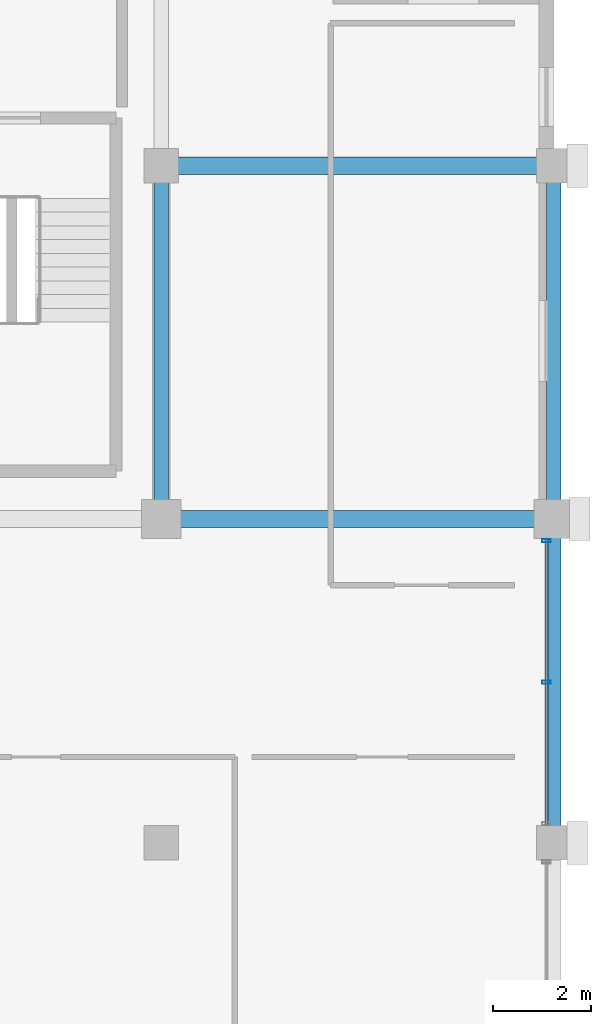
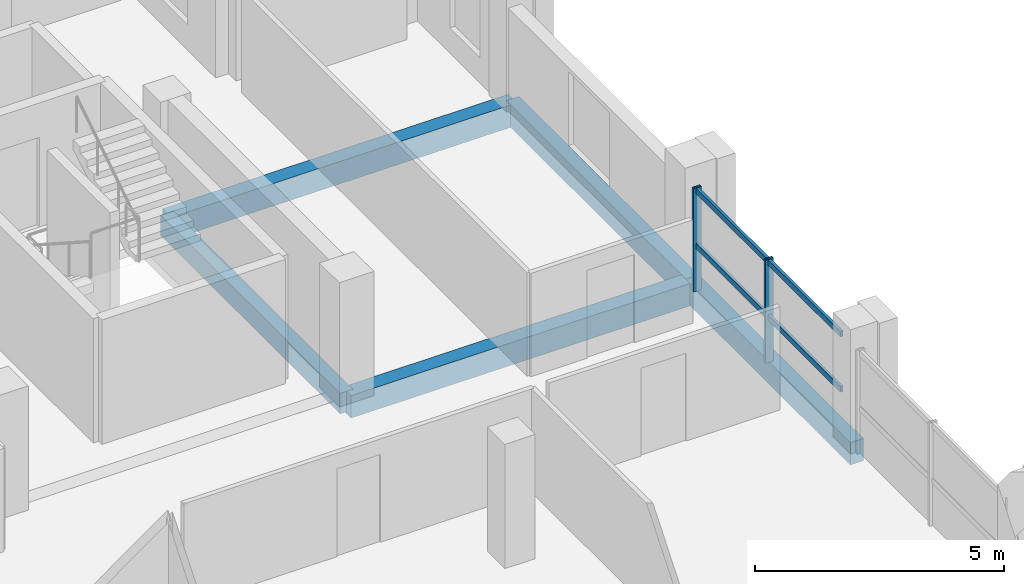
# One storey, part 13 of 24: 5 beams, 4 members, 1 element without a shape of its own.
"""IFC4 building model written with IfcOpenShell, lengths in metres."""

import ifcopenshell
import ifcopenshell.guid

model = None  # the IFC model being written
_history = None  # IfcOwnerHistory: only IFC2X3 demands one
_inside = {}  # id of a spatial element -> (the spatial element, [elements in it])
_under = {}  # id of a project, library or spatial element -> (it, [spatial elements below it])
_declared = {}  # id of a project -> (the project, [libraries it declares])
_typed = {}  # id of a type object -> (the type object, [elements of that type])
_made_of = {}  # id of a material, layer set ... -> (it, [elements and type objects made of it])


def new_model(schema):
    """Start an empty IFC model of exactly this schema.

    Asked for "IFC4X3", IfcOpenShell would pick the latest addendum, in which some entities
    have other attributes; the version numbers below select the first issue.
    IFC2X3 requires an IfcOwnerHistory on every rooted entity: one is made here for all.
    """
    global model, _history
    if schema == "IFC4X3":
        model = ifcopenshell.file(schema_version=(4, 3, 0, 0))
    else:
        model = ifcopenshell.file(schema=schema)
    _inside.clear()
    _under.clear()
    _declared.clear()
    _typed.clear()
    _made_of.clear()
    _history = None
    if model.schema == "IFC2X3":
        org = make("IfcOrganization", Name="unknown")
        user = make(
            "IfcPersonAndOrganization",
            ThePerson=make("IfcPerson", FamilyName="unknown"),
            TheOrganization=org,
        )
        app = make(
            "IfcApplication",
            ApplicationDeveloper=org,
            Version="unknown",
            ApplicationFullName="unknown",
            ApplicationIdentifier="unknown",
        )
        _history = make(
            "IfcOwnerHistory",
            OwningUser=user,
            OwningApplication=app,
            ChangeAction="ADDED",
            CreationDate=0,
        )
    return model


def make(cls, **values):
    """One entity of the class cls with the attributes given. An attribute that is None is left unset."""
    return model.create_entity(
        cls, **{name: value for name, value in values.items() if value is not None}
    )


def rooted(cls, **values):
    """An entity with a GlobalId (a new one), such as an element, a storey or a relation."""
    return make(cls, GlobalId=ifcopenshell.guid.new(), OwnerHistory=_history, **values)


def si_unit(unit_type, name, prefix=None):
    """IfcSIUnit, for example si_unit("LENGTHUNIT", "METRE", prefix="MILLI")."""
    return make("IfcSIUnit", UnitType=unit_type, Prefix=prefix, Name=name)


def assignment(units):
    """IfcUnitAssignment: the units of a project."""
    return None if units is None else make("IfcUnitAssignment", Units=units)


def point(xyz):
    """IfcCartesianPoint."""
    return None if xyz is None else make("IfcCartesianPoint", Coordinates=xyz)


def direction(xyz):
    """IfcDirection."""
    return None if xyz is None else make("IfcDirection", DirectionRatios=xyz)


def frame(location, z_axis=None, x_axis=None):
    """IfcAxis2Placement3D, a coordinate frame: its origin and axes. An axis left out is left unset."""
    return make(
        "IfcAxis2Placement3D",
        Location=point(location),
        Axis=direction(z_axis),
        RefDirection=direction(x_axis),
    )


def frame_2d(location, x_axis=None):
    """IfcAxis2Placement2D, a coordinate frame in the plane: its origin and x axis."""
    return make(
        "IfcAxis2Placement2D", Location=point(location), RefDirection=direction(x_axis)
    )


def origin():
    """The frame at (0, 0, 0) with its axes left unset."""
    return frame((0.0, 0.0, 0.0))


def origin_2d():
    """The frame at (0, 0) in the plane with its x axis left unset."""
    return frame_2d((0.0, 0.0))


def place(relative_to, where):
    """IfcLocalPlacement: puts the frame where relative to a parent placement (None: the world)."""
    return make(
        "IfcLocalPlacement", PlacementRelTo=relative_to, RelativePlacement=where
    )


def context(
    kind, dimensions, precision=None, world=None, true_north=None, identifier=None
):
    """IfcGeometricRepresentationContext, for example the 3D "Model" context."""
    return make(
        "IfcGeometricRepresentationContext",
        ContextIdentifier=identifier,
        ContextType=kind,
        CoordinateSpaceDimension=dimensions,
        Precision=precision,
        WorldCoordinateSystem=world,
        TrueNorth=true_north,
    )


def subcontext(parent, identifier, kind, view, scale=None):
    """IfcGeometricRepresentationSubContext, for example "Body" below "Model"."""
    return make(
        "IfcGeometricRepresentationSubContext",
        ContextIdentifier=identifier,
        ContextType=kind,
        ParentContext=parent,
        TargetScale=scale,
        TargetView=view,
    )


def project(units=None, contexts=None):
    """IfcProject with its units and contexts."""
    return rooted(
        "IfcProject",
        Name="project",
        RepresentationContexts=contexts,
        UnitsInContext=assignment(units),
    )


def spatial(cls, under=None, at=None, **own):
    """A site, building, storey or space (cls), placed at a placement, below another one or the project."""
    s = rooted(cls, ObjectPlacement=at, **own)
    if under is not None:
        _under.setdefault(under.id(), (under, []))[1].append(s)
    return s


def profile(cls, at=None, kind="AREA", **sizes):
    """A parametric profile (cls). Its sizes go by their IFC names, for example OverallWidth=200.0."""
    return make(cls, ProfileType=kind, Position=at, **sizes)


def rectangle(**sizes):
    """IfcRectangleProfileDef."""
    return profile("IfcRectangleProfileDef", **sizes)


def hollow_rectangle(**sizes):
    """IfcRectangleHollowProfileDef."""
    return profile("IfcRectangleHollowProfileDef", **sizes)


def extrude(swept, where, along, depth):
    """IfcExtrudedAreaSolid: the profile swept, set in the frame where, extruded along a direction by depth."""
    return make(
        "IfcExtrudedAreaSolid",
        SweptArea=swept,
        Position=where,
        ExtrudedDirection=direction(along),
        Depth=depth,
    )


def shape(context_of_items, identifier, shape_type, items):
    """IfcShapeRepresentation: the items that make up one representation, for example the "Body"."""
    return make(
        "IfcShapeRepresentation",
        ContextOfItems=context_of_items,
        RepresentationIdentifier=identifier,
        RepresentationType=shape_type,
        Items=items,
    )


def material(Name=None, Category=None):
    """IfcMaterial."""
    return make("IfcMaterial", Name=Name, Category=Category)


def material_profile(
    of_material, cross_section, Name=None, Category=None, Priority=None
):
    """IfcMaterialProfile: a cross section and its material."""
    return make(
        "IfcMaterialProfile",
        Name=Name,
        Material=of_material,
        Profile=cross_section,
        Priority=Priority,
        Category=Category,
    )


def profile_set(profiles, Name=None, composite=None):
    """IfcMaterialProfileSet."""
    return make(
        "IfcMaterialProfileSet",
        Name=Name,
        MaterialProfiles=profiles,
        CompositeProfile=composite,
    )


def made_of(thing, what):
    """Note that an element or type object is made of a material, layer set ...; save() writes the relation."""
    if what is not None:
        _made_of.setdefault(what.id(), (what, []))[1].append(thing)
    return thing


def type_object(cls, material=None, **own):
    """A type object (cls), such as IfcWallType, which elements share."""
    return made_of(rooted(cls, **own), material)


def element(
    cls,
    number,
    at=None,
    inside=None,
    cuts=None,
    type_object=None,
    material=None,
    context=None,
    identifier="Body",
    shape_type=None,
    held_by="IfcProductDefinitionShape",
    body=None,
    shapes=None,
    **own,
):
    """One element of the class cls, such as IfcWall. Its Tag is "e" and its number.

    at: its placement. inside: the storey or other place that contains it. cuts: it is an
    opening in that element (IfcRelVoidsElement). A single representation is given by context,
    identifier, shape_type and body (its items); several are given by shapes. held_by: the class
    of the entity that holds the representations. save() writes the other relations.
    """
    e = rooted(cls, Tag="e%d" % number, ObjectPlacement=at, **own)
    if body is not None:
        shapes = [shape(context, identifier, shape_type, body)]
    if shapes is not None:
        e.Representation = make(held_by, Representations=shapes)
    if inside is not None:
        _inside.setdefault(inside.id(), (inside, []))[1].append(e)
    if cuts is not None:
        rooted(
            "IfcRelVoidsElement", RelatingBuildingElement=cuts, RelatedOpeningElement=e
        )
    if type_object is not None:
        _typed.setdefault(type_object.id(), (type_object, []))[1].append(e)
    return made_of(e, material)


def aggregate(whole, parts):
    """IfcRelAggregates: a whole, such as a stair, and the parts it consists of."""
    return rooted("IfcRelAggregates", RelatingObject=whole, RelatedObjects=parts)


def save(model, path):
    """Write the relations noted so far, then the file.

    IfcRelAggregates (storeys below a building ...), IfcRelContainedInSpatialStructure (elements
    in a storey), IfcRelDefinesByType, IfcRelAssociatesMaterial and IfcRelDeclares: one each for
    every whole, place, type object, material and project.
    """
    for whole, parts in _under.values():
        aggregate(whole, parts)
    for where, things in _inside.values():
        rooted(
            "IfcRelContainedInSpatialStructure",
            RelatedElements=things,
            RelatingStructure=where,
        )
    for kind, things in _typed.values():
        rooted("IfcRelDefinesByType", RelatedObjects=things, RelatingType=kind)
    for what, things in _made_of.values():
        rooted("IfcRelAssociatesMaterial", RelatedObjects=things, RelatingMaterial=what)
    for by, libraries in _declared.values():
        rooted("IfcRelDeclares", RelatingContext=by, RelatedDefinitions=libraries)
    model.write(path)


model = new_model("IFC4")

# Units and contexts
model_context = context("Model", 3, precision=1e-05, world=origin(), true_north=direction((0.0, 1.0)))
body_context = subcontext(model_context, "Body", "Model", "MODEL_VIEW")
ifc_project = project(units=[si_unit("LENGTHUNIT", "METRE"), si_unit("AREAUNIT", "SQUARE_METRE"), si_unit("VOLUMEUNIT", "CUBIC_METRE"), si_unit("PLANEANGLEUNIT", "RADIAN"), si_unit("MASSUNIT", "GRAM", prefix="KILO")], contexts=[model_context])

# Site, building, storey
site_placement = place(None, origin())
site = spatial("IfcSite", under=ifc_project, at=site_placement, CompositionType="ELEMENT")
building_placement = place(site_placement, origin())
building = spatial("IfcBuilding", under=site, at=building_placement, Name="Akrevak Sports Hall", CompositionType="ELEMENT")
storey_placement = place(building_placement, frame((0.0, 0.0, 56.800048828125)))
storey = spatial("IfcBuildingStorey", under=building, at=storey_placement, Name="L14", CompositionType="ELEMENT", Elevation=56.800048828125)

# Curtain wall, members
ifc_material_1 = material(Name="Anodized Bronze Aluminium & Low-E Glass", Category="aluminium")
curtain_wall_type = type_object("IfcCurtainWallType", Name="ARC-CW-TWR-64x30", PredefinedType="NOTDEFINED", material=ifc_material_1)
curtain_wall_placement = place(storey_placement, origin())
curtain_wall = element("IfcCurtainWall", 1, at=curtain_wall_placement, inside=storey, type_object=curtain_wall_type, Name="Curtain Wall CW-L14-E12", PredefinedType="NOTDEFINED")
ifc_material_2 = material(Name="Anodized Bronze Aluminium", Category="aluminium")
ifc_material_profile_1 = material_profile(ifc_material_2, hollow_rectangle(XDim=0.06494140625, YDim=0.179931640625, WallThickness=0.00390625, at=origin_2d()), Name="CWM 65x180", Category="aluminium")
ifc_profile_set_1 = profile_set([ifc_material_profile_1], Name="Anodized Bronze Aluminium")
member_type_1 = type_object("IfcMemberType", Name="ARC-CWM-65x140", PredefinedType="MULLION", material=ifc_profile_set_1)
member_1_placement = place(storey_placement, frame((107.85009765625, 51.875, 0.0), z_axis=(0.0, 0.0, 1.0), x_axis=(0.0, 1.0, 0.0)))
member_1 = element("IfcMember", 2, at=member_1_placement, type_object=member_type_1, Name="Curtain Wall Mullion CW-L14-E12-M2", PredefinedType="MULLION", context=body_context, shape_type="SweptSolid", body=[
    extrude(hollow_rectangle(XDim=0.06494140625, YDim=0.179931640625, WallThickness=0.00390625, at=origin_2d()), origin(), (0.0, 0.0, 1.0), 2.530029296875),
])
member_2_placement = place(storey_placement, frame((107.85009765625, 54.760009765625, 0.0), z_axis=(0.0, 0.0, 1.0), x_axis=(0.0, 1.0, 0.0)))
member_2 = element("IfcMember", 3, at=member_2_placement, type_object=member_type_1, Name="Curtain Wall Mullion CW-L14-E12-M3", PredefinedType="MULLION", context=body_context, shape_type="SweptSolid", body=[
    extrude(hollow_rectangle(XDim=0.06494140625, YDim=0.179931640625, WallThickness=0.00390625, at=origin_2d()), origin(), (0.0, 0.0, 1.0), 2.530029296875),
])
ifc_material_profile_2 = material_profile(ifc_material_2, hollow_rectangle(XDim=0.06494140625, YDim=0.139892578125, WallThickness=0.00390625, at=origin_2d()), Name="CWT 65x140", Category="aluminium")
ifc_profile_set_2 = profile_set([ifc_material_profile_2], Name="Anodized Bronze Aluminium")
member_type_2 = type_object("IfcMemberType", Name="ARC-CWT-65x110", PredefinedType="USERDEFINED", material=ifc_profile_set_2)
member_3_placement = place(storey_placement, frame((107.85009765625, 48.949951171875, 1.099853515625), z_axis=(0.0, 1.0, 0.0), x_axis=(-1.0, 0.0, 0.0)))
member_3 = element("IfcMember", 4, at=member_3_placement, type_object=member_type_2, Name="Curtain Wall Transom CW-L14-E12-T1", ObjectType="TRANSOM", PredefinedType="USERDEFINED", context=body_context, shape_type="SweptSolid", body=[
    extrude(hollow_rectangle(XDim=0.06494140625, YDim=0.139892578125, WallThickness=0.00390625, at=origin_2d()), origin(), (0.0, 0.0, 1.0), 5.85009765625),
])
member_4_placement = place(storey_placement, frame((107.85009765625, 48.949951171875, 2.449951171875), z_axis=(0.0, 1.0, 0.0), x_axis=(-1.0, 0.0, 0.0)))
member_4 = element("IfcMember", 5, at=member_4_placement, type_object=member_type_2, Name="Curtain Wall Transom CW-L14-E12-T2", ObjectType="TRANSOM", PredefinedType="USERDEFINED", context=body_context, shape_type="SweptSolid", body=[
    extrude(hollow_rectangle(XDim=0.06494140625, YDim=0.139892578125, WallThickness=0.00390625, at=origin_2d()), origin(), (0.0, 0.0, 1.0), 5.85009765625),
])
aggregate(curtain_wall, [member_1, member_2, member_3, member_4])

# Beams
ifc_material_3 = material(Name="Concrete C40/50", Category="concrete")
ifc_material_profile_3 = material_profile(ifc_material_3, rectangle(XDim=0.300048828125, YDim=0.5, at=origin_2d()), Name="BM 300x500", Category="concrete")
ifc_profile_set_3 = profile_set([ifc_material_profile_3], Name="Concrete C40/50")
beam_type_1 = type_object("IfcBeamType", Name="STR-BM-RC300x500", PredefinedType="BEAM", material=ifc_profile_set_3)
beam_1_placement = place(storey_placement, frame((100.0, 55.199951171875, -0.25), z_axis=(0.0, 1.0, 0.0), x_axis=(-1.0, 0.0, 0.0)))
element("IfcBeam", 6, at=beam_1_placement, inside=storey, type_object=beam_type_1, Name="Girder 14/I-J (L14)", PredefinedType="BEAM", context=body_context, shape_type="SweptSolid", body=[
    extrude(rectangle(XDim=0.300048828125, YDim=0.5, at=origin_2d()), origin(), (0.0, 0.0, 1.0), 7.199951171875),
])
ifc_material_profile_4 = material_profile(ifc_material_3, rectangle(XDim=0.300048828125, YDim=0.550048828125, at=origin_2d()), Name="BM 300x550", Category="concrete")
ifc_profile_set_4 = profile_set([ifc_material_profile_4], Name="Concrete C40/50")
beam_type_2 = type_object("IfcBeamType", Name="STR-BM-RC300x550", PredefinedType="BEAM", material=ifc_profile_set_4)
beam_2_placement = place(storey_placement, frame((108.0, 48.60009765625, -0.275146484375), z_axis=(0.0, 1.0, 0.0), x_axis=(-1.0, 0.0, 0.0)))
element("IfcBeam", 7, at=beam_2_placement, inside=storey, type_object=beam_type_2, Name="Girder 15/H-I (L14)", PredefinedType="BEAM", context=body_context, shape_type="SweptSolid", body=[
    extrude(rectangle(XDim=0.300048828125, YDim=0.550048828125, at=origin_2d()), origin(), (0.0, 0.0, 1.0), 6.599853515625),
])
beam_3_placement = place(storey_placement, frame((108.0, 55.199951171875, -0.275146484375), z_axis=(0.0, 1.0, 0.0), x_axis=(-1.0, 0.0, 0.0)))
element("IfcBeam", 8, at=beam_3_placement, inside=storey, type_object=beam_type_2, Name="Girder 15/I-J (L14)", PredefinedType="BEAM", context=body_context, shape_type="SweptSolid", body=[
    extrude(rectangle(XDim=0.300048828125, YDim=0.550048828125, at=origin_2d()), origin(), (0.0, 0.0, 1.0), 7.199951171875),
])
ifc_material_profile_5 = material_profile(ifc_material_3, rectangle(XDim=0.35009765625, YDim=0.550048828125, at=origin_2d()), Name="BM 350x550", Category="concrete")
ifc_profile_set_5 = profile_set([ifc_material_profile_5], Name="Concrete C40/50")
beam_type_3 = type_object("IfcBeamType", Name="STR-BM-RC350x550", PredefinedType="BEAM", material=ifc_profile_set_5)
for number, where, z_axis, x_axis, name in (
    (9, (100.0, 55.199951171875, -0.275146484375), (1.0, 0.0, 0.0), (0.0, 1.0, 0.0), "Girder I/14-15 (L14)"),
    (10, (100.0, 62.39990234375, -0.275146484375), (1.0, 0.0, 0.0), (0.0, 1.0, 0.0), "Girder J/14-15 (L14)"),
):
    element("IfcBeam", number, at=place(storey_placement, frame(where, z_axis=z_axis, x_axis=x_axis)), inside=storey, type_object=beam_type_3, Name=name, PredefinedType="BEAM", context=body_context, shape_type="SweptSolid", body=[
        extrude(rectangle(XDim=0.35009765625, YDim=0.550048828125, at=origin_2d()), origin(), (0.0, 0.0, 1.0), 8.0),
    ])

save(model, "model.ifc")
